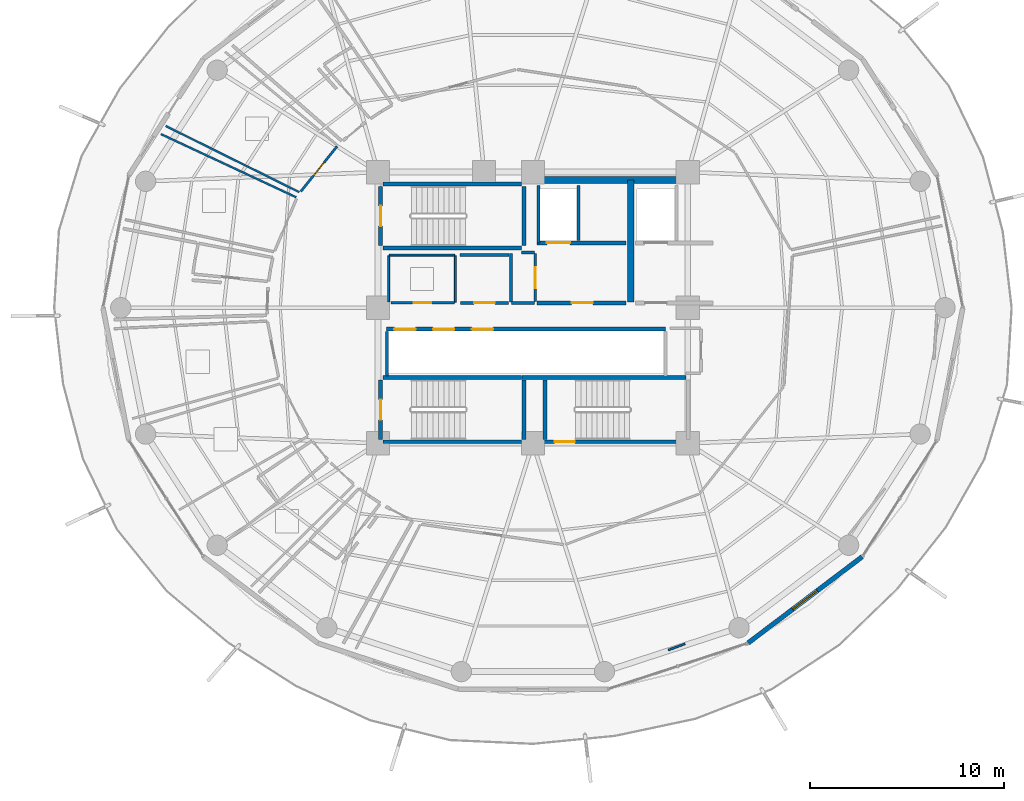
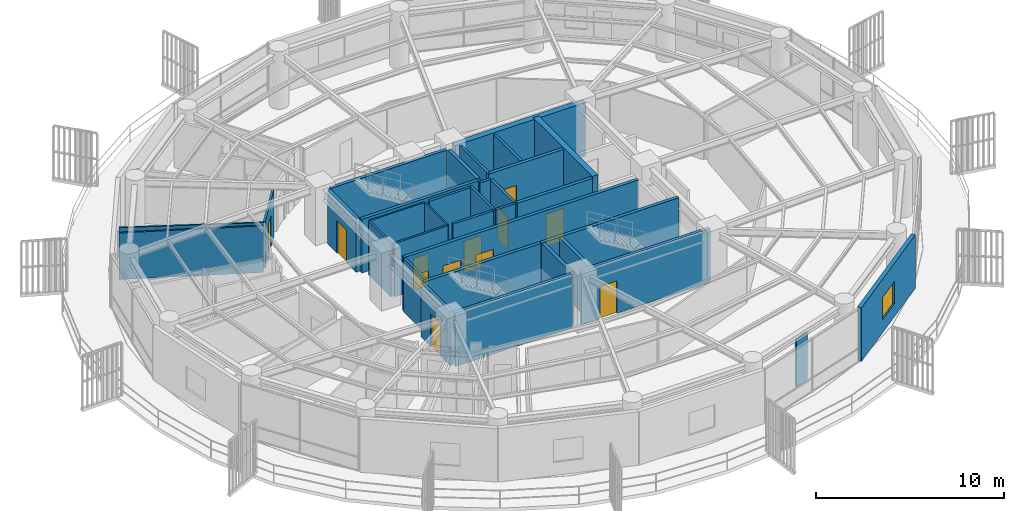
# One storey, part 25 of 31: 34 walls, 12 doors, 1 window, 13 openings.
"""IFC4 building model written with IfcOpenShell, lengths in metres."""

from ifc_helpers import new_model, si_unit, direction, frame, frame_2d, origin, place, context, subcontext, project, spatial, rectangle, extrude, material, layer, layer_set, type_object, element, fill, save


model = new_model("IFC4")

# Units and contexts
model_context = context("Model", 3, precision=1e-05, world=origin(), true_north=direction((0.0, 1.0)))
body_context = subcontext(model_context, "Body", "Model", "MODEL_VIEW")
ifc_project = project(units=[si_unit("LENGTHUNIT", "METRE"), si_unit("AREAUNIT", "SQUARE_METRE"), si_unit("VOLUMEUNIT", "CUBIC_METRE"), si_unit("PLANEANGLEUNIT", "RADIAN"), si_unit("MASSUNIT", "GRAM", prefix="KILO")], contexts=[model_context])

# Site, building, storey
site_placement = place(None, origin())
site = spatial("IfcSite", under=ifc_project, at=site_placement, CompositionType="ELEMENT")
building_placement = place(site_placement, origin())
building = spatial("IfcBuilding", under=site, at=building_placement, Name="Kelanora Arch Commons", CompositionType="ELEMENT")
storey_placement = place(building_placement, frame((0.0, 0.0, 200.699951171875)))
storey = spatial("IfcBuildingStorey", under=building, at=storey_placement, Name="L51", CompositionType="ELEMENT", Elevation=200.699951171875)

# Walls
ifc_material_1 = material(Name="Autoclaved aerated concrete blockwork with fire plaster", Category="masonry")
ifc_layer_1 = layer(ifc_material_1, 0.14990234375)
ifc_layer_set_1 = layer_set([ifc_layer_1], Name="Autoclaved aerated concrete blockwork with fire plaster")
wall_type_1 = type_object("IfcWallType", Name="W-COMP-150", PredefinedType="PARTITIONING", material=ifc_layer_set_1)
wall_1_placement = place(storey_placement, frame((74.280029296875, 61.35009765625, 0.0), z_axis=(0.0, 0.0, 1.0), x_axis=(0.0, 1.0, 0.0)))
element("IfcWall", 1, at=wall_1_placement, inside=storey, type_object=wall_type_1, Name="Firefighting Lift 1 West Shaft Wall L51", PredefinedType="PARTITIONING", context=body_context, shape_type="SweptSolid", body=[
    extrude(rectangle(XDim=2.969970703125, YDim=0.14990234375, at=frame_2d((1.48486328125, 0.0))), origin(), (0.0, 0.0, 1.0), 3.47998046875),
])
wall_2_placement = place(storey_placement, frame((76.360107421875, 61.47998046875, 0.0), z_axis=(0.0, 0.0, 1.0), x_axis=(0.0, 1.0, 0.0)))
element("IfcWall", 2, at=wall_2_placement, inside=storey, type_object=wall_type_1, Name="Firefighting Lift 1 East Shaft Wall L51", PredefinedType="PARTITIONING", context=body_context, shape_type="SweptSolid", body=[
    extrude(rectangle(XDim=2.840087890625, YDim=0.14990234375, at=frame_2d((1.419921875, 0.0))), origin(), (0.0, 0.0, 1.0), 3.47998046875),
])
wall_3_placement = place(storey_placement, frame((66.4599609375, 54.47998046875, 0.0), z_axis=(0.0, 0.0, 1.0), x_axis=(0.0, 1.0, 0.0)))
element("IfcWall", 3, at=wall_3_placement, inside=storey, type_object=wall_type_1, Name="South Lift Bank West Wall L51", PredefinedType="PARTITIONING", context=body_context, shape_type="SweptSolid", body=[
    extrude(rectangle(XDim=2.2900390625, YDim=0.14990234375, at=frame_2d((1.14501953125, 0.0))), origin(), (0.0, 0.0, 1.0), 3.47998046875),
])

# Wall, opening, door
wall_4_placement = place(storey_placement, frame((74.1201171875, 58.31005859375, 0.0), z_axis=(0.0, 0.0, 1.0), x_axis=(0.0, 1.0, 0.0)))
wall_4 = element("IfcWall", 4, at=wall_4_placement, inside=storey, type_object=wall_type_1, Name="Core Linen Supply Store L51 Entry Partition", PredefinedType="PARTITIONING", context=body_context, shape_type="SweptSolid", body=[
    extrude(rectangle(XDim=2.47998046875, YDim=0.14990234375, at=frame_2d((1.239990234375, 0.0))), origin(), (0.0, 0.0, 1.0), 3.47998046875),
])
opening_1_placement = place(wall_4_placement, frame((0.699951171875, 0.0, 0.0)))
opening_1 = element("IfcOpeningElement", 5, at=opening_1_placement, cuts=wall_4, Name="Opening D-PLT1", PredefinedType="OPENING", context=body_context, shape_type="SweptSolid", body=[
    extrude(rectangle(XDim=1.080078125, YDim=2.10009765625, at=frame_2d((0.5400390625, 1.050048828125))), frame((0.0, 0.0849609375, 0.0), z_axis=(0.0, -1.0, 0.0), x_axis=(1.0, 0.0, 0.0)), (0.0, 0.0, 1.0), 0.169921875),
])
ifc_material_2 = material(Name="Galvanised steel plant and riser fire door", Category="steel")
door_type_1 = type_object("IfcDoorType", Name="D-PLT-110", OperationType="NOTDEFINED", PredefinedType="DOOR", material=ifc_material_2)
door_1_placement = place(opening_1_placement, origin())
door_1 = element("IfcDoor", 6, at=door_1_placement, inside=storey, type_object=door_type_1, Name="Core Linen Supply Store L51 Door", OperationType="SINGLE_SWING_LEFT", OverallHeight=2.10009765625, OverallWidth=1.080078125, PredefinedType="DOOR", context=body_context, shape_type="SweptSolid", body=[
    extrude(rectangle(XDim=1.080078125, YDim=2.10009765625, at=frame_2d((0.5400390625, 1.050048828125))), frame((0.0, 0.02490234375, 0.0), z_axis=(0.0, -1.0, 0.0), x_axis=(1.0, 0.0, 0.0)), (0.0, 0.0, 1.0), 0.050048828125),
])
fill(opening_1, door_1)

wall_5_placement = place(storey_placement, frame((70.260009765625, 58.25, 0.0), z_axis=(0.0, 0.0, 1.0), x_axis=(1.0, 0.0, 0.0)))
wall_5 = element("IfcWall", 7, at=wall_5_placement, inside=storey, type_object=wall_type_1, Name="Reclaimed Core Linen Store L51 Entry Partition", PredefinedType="PARTITIONING", context=body_context, shape_type="SweptSolid", body=[
    extrude(rectangle(XDim=2.47998046875, YDim=0.14990234375, at=frame_2d((1.239990234375, 0.0))), origin(), (0.0, 0.0, 1.0), 3.47998046875),
])
opening_2_placement = place(wall_5_placement, frame((0.699951171875, 0.0, 0.0)))
opening_2 = element("IfcOpeningElement", 8, at=opening_2_placement, cuts=wall_5, Name="Opening D-PLT1", PredefinedType="OPENING", context=body_context, shape_type="SweptSolid", body=[
    extrude(rectangle(XDim=1.080078125, YDim=2.10009765625, at=frame_2d((0.5400390625, 1.050048828125))), frame((0.0, 0.0849609375, 0.0), z_axis=(0.0, -1.0, 0.0), x_axis=(1.0, 0.0, 0.0)), (0.0, 0.0, 1.0), 0.169921875),
])
door_2_placement = place(opening_2_placement, origin())
door_2 = element("IfcDoor", 9, at=door_2_placement, inside=storey, type_object=door_type_1, Name="Reclaimed Core Linen Store L51 Door", OperationType="SINGLE_SWING_RIGHT", OverallHeight=2.10009765625, OverallWidth=1.080078125, PredefinedType="DOOR", context=body_context, shape_type="SweptSolid", body=[
    extrude(rectangle(XDim=1.080078125, YDim=2.10009765625, at=frame_2d((0.5400390625, 1.050048828125))), frame((0.0, 0.02490234375, 0.0), z_axis=(0.0, -1.0, 0.0), x_axis=(1.0, 0.0, 0.0)), (0.0, 0.0, 1.0), 0.050048828125),
])
fill(opening_2, door_2)

# Walls
wall_6_placement = place(storey_placement, frame((72.89990234375, 58.25, 0.0), z_axis=(0.0, 0.0, 1.0), x_axis=(1.0, 0.0, 0.0)))
element("IfcWall", 10, at=wall_6_placement, inside=storey, type_object=wall_type_1, Name="Core Linen Supply Store L51 Enclosure Partition 1", PredefinedType="PARTITIONING", context=body_context, shape_type="SweptSolid", body=[
    extrude(rectangle(XDim=1.18017578125, YDim=0.14990234375, at=frame_2d((0.590087890625, 0.0))), origin(), (0.0, 0.0, 1.0), 3.47998046875),
])
wall_7_placement = place(storey_placement, frame((74.080078125, 60.85009765625, 0.0), z_axis=(0.0, 0.0, 1.0), x_axis=(-1.0, 0.0, 0.0)))
element("IfcWall", 11, at=wall_7_placement, inside=storey, type_object=wall_type_1, Name="Core Linen Supply Store L51 Enclosure Partition 3", PredefinedType="PARTITIONING", context=body_context, shape_type="SweptSolid", body=[
    extrude(rectangle(XDim=0.66015625, YDim=0.14990234375, at=frame_2d((0.330078125, 0.0))), origin(), (0.0, 0.0, 1.0), 3.47998046875),
])
for number, where, z_axis, x_axis, name in (
    (12, (72.860107421875, 60.81005859375, 0.0), (0.0, 0.0, 1.0), (0.0, -1.0, 0.0), "Core Linen Supply Store L51 Enclosure Partition 4"),
    (13, (72.760009765625, 60.719970703125, 0.0), (0.0, 0.0, 1.0), (-1.0, 0.0, 0.0), "Reclaimed Core Linen Store L51 Enclosure Partition 3"),
):
    element("IfcWall", number, at=place(storey_placement, frame(where, z_axis=z_axis, x_axis=x_axis)), inside=storey, type_object=wall_type_1, Name=name, PredefinedType="PARTITIONING", context=body_context, shape_type="SweptSolid", body=[
        extrude(rectangle(XDim=2.52001953125, YDim=0.14990234375, at=frame_2d((1.260009765625, 0.0))), origin(), (0.0, 0.0, 1.0), 3.47998046875),
    ])
ifc_material_3 = material(Name="Concrete C50/60", Category="concrete")
ifc_layer_2 = layer(ifc_material_3, 0.35009765625)
ifc_layer_set_2 = layer_set([ifc_layer_2], Name="Concrete C50/60")
wall_type_2 = type_object("IfcWallType", Name="W-CORE-350", PredefinedType="SHEAR", material=ifc_layer_set_2)
wall_8_placement = place(storey_placement, frame((74.0, 64.60009765625, 0.0), z_axis=(0.0, 0.0, 1.0), x_axis=(1.0, 0.0, 0.0)))
element("IfcWall", 14, at=wall_8_placement, inside=storey, type_object=wall_type_2, Name="Core Shear Spine L51-CN-E", PredefinedType="SHEAR", context=body_context, shape_type="SweptSolid", body=[
    extrude(rectangle(XDim=8.0, YDim=0.35009765625, at=frame_2d((4.0, 0.0))), origin(), (0.0, 0.0, 1.0), 3.489990234375),
])
wall_9_placement = place(storey_placement, frame((79.050048828125, 58.300048828125, 0.0), z_axis=(0.0, 0.0, 1.0), x_axis=(0.0, 1.0, 0.0)))
element("IfcWall", 15, at=wall_9_placement, inside=storey, type_object=wall_type_2, Name="Core Shear Spine L51-CE-N", PredefinedType="SHEAR", context=body_context, shape_type="SweptSolid", body=[
    extrude(rectangle(XDim=6.300048828125, YDim=0.35009765625, at=frame_2d((3.14990234375, 0.0))), origin(), (0.0, 0.0, 1.0), 3.489990234375),
])

# Wall, opening, window
ifc_material_4 = material(Name="Precast concrete C40/50 upper-zone terracotta rainscreen", Category="masonry")
ifc_layer_3 = layer(ifc_material_4, 0.239990234375)
ifc_layer_set_3 = layer_set([ifc_layer_3], Name="Precast concrete C40/50 upper-zone terracotta rainscreen")
wall_type_3 = type_object("IfcWallType", Name="W-EXT-TC2", PredefinedType="SOLIDWALL", material=ifc_layer_set_3)
wall_10_placement = place(storey_placement, frame((85.112060546875, 40.6884765625, 0.0), z_axis=(0.0, 0.0, 1.0), x_axis=(0.797701674595, 0.603052268338, 0.0)))
wall_10 = element("IfcWall", 16, at=wall_10_placement, inside=storey, type_object=wall_type_3, Name="Terracotta Exterior Wall L51-B15", PredefinedType="SOLIDWALL", context=body_context, shape_type="SweptSolid", body=[
    extrude(rectangle(XDim=7.373779296875, YDim=0.239990234375, at=frame_2d((3.68701171875, 0.0))), origin(), (0.0, 0.0, 1.0), 3.47509765625),
])
opening_3_placement = place(wall_10_placement, frame((2.886962890625, 0.0, 0.85009765625)))
opening_3 = element("IfcOpeningElement", 17, at=opening_3_placement, cuts=wall_10, Name="Opening WN-01", PredefinedType="OPENING", context=body_context, shape_type="SweptSolid", body=[
    extrude(rectangle(XDim=1.60009765625, YDim=1.449951171875, at=frame_2d((0.800048828125, 0.72509765625))), frame((0.0, 0.1298828125, 0.0), z_axis=(0.0, -1.0, 0.0), x_axis=(1.0, 0.0, 0.0)), (0.0, 0.0, 1.0), 0.260009765625),
])
ifc_material_5 = material(Name="Terracotta-anodised aluminium frame with operable low-E glazing", Category="masonry")
window_type = type_object("IfcWindowType", Name="WIN-CL-18", PartitioningType="DOUBLE_PANEL_VERTICAL", PredefinedType="WINDOW", material=ifc_material_5)
window_placement = place(opening_3_placement, origin())
window = element("IfcWindow", 18, at=window_placement, inside=storey, type_object=window_type, Name="Co-Living Operable Window L51-B15", OverallHeight=1.449951171875, OverallWidth=1.60009765625, PartitioningType="SINGLE_PANEL", PredefinedType="WINDOW", context=body_context, shape_type="SweptSolid", body=[
    extrude(rectangle(XDim=1.60009765625, YDim=1.449951171875, at=frame_2d((0.800048828125, 0.72509765625))), frame((0.0, 0.030029296875, 0.0), z_axis=(0.0, -1.0, 0.0), x_axis=(1.0, 0.0, 0.0)), (0.0, 0.0, 1.0), 0.06005859375),
])
fill(opening_3, window)

# Wall, opening, door
ifc_material_6 = material(Name="Concrete C40/50", Category="concrete")
ifc_layer_4 = layer(ifc_material_6, 0.199951171875)
ifc_layer_set_4 = layer_set([ifc_layer_4], Name="Concrete C40/50")
wall_type_4 = type_object("IfcWallType", Name="W-FFL-200", PredefinedType="SOLIDWALL", material=ifc_layer_set_4)
wall_11_placement = place(storey_placement, frame((74.199951171875, 61.35009765625, 0.0), z_axis=(0.0, 0.0, 1.0), x_axis=(1.0, 0.0, 0.0)))
wall_11 = element("IfcWall", 19, at=wall_11_placement, inside=storey, type_object=wall_type_4, Name="Firefighting Lift 1 Shaft Front L51", PredefinedType="SOLIDWALL", context=body_context, shape_type="SweptSolid", body=[
    extrude(rectangle(XDim=4.60009765625, YDim=0.199951171875, at=frame_2d((2.300048828125, 0.0))), origin(), (0.0, 0.0, 1.0), 3.47998046875),
])
opening_4_placement = place(wall_11_placement, frame((0.52001953125, 0.0, 0.0)))
opening_4 = element("IfcOpeningElement", 20, at=opening_4_placement, cuts=wall_11, Name="Opening LD-FF", PredefinedType="OPENING", context=body_context, shape_type="SweptSolid", body=[
    extrude(rectangle(XDim=1.199951171875, YDim=2.14990234375, at=frame_2d((0.60009765625, 1.074951171875))), frame((0.0, 0.10986328125, 0.0), z_axis=(0.0, -1.0, 0.0), x_axis=(1.0, 0.0, 0.0)), (0.0, 0.0, 1.0), 0.219970703125),
])
ifc_material_7 = material(Name="Fire-rated firefighters lift sliding landing door")
door_type_2 = type_object("IfcDoorType", Name="D-LIFT-FF", OperationType="NOTDEFINED", PredefinedType="DOOR", material=ifc_material_7)
door_3_placement = place(opening_4_placement, origin())
door_3 = element("IfcDoor", 21, at=door_3_placement, inside=storey, type_object=door_type_2, Name="Firefighting Lift LF-FF1 Landing Door L51", OperationType="DOUBLE_DOOR_SLIDING", OverallHeight=2.14990234375, OverallWidth=1.199951171875, PredefinedType="DOOR", context=body_context, shape_type="SweptSolid", body=[
    extrude(rectangle(XDim=1.199951171875, YDim=2.14990234375, at=frame_2d((0.60009765625, 1.074951171875))), frame((0.0, 0.02490234375, 0.0), z_axis=(0.0, -1.0, 0.0), x_axis=(1.0, 0.0, 0.0)), (0.0, 0.0, 1.0), 0.050048828125),
])
fill(opening_4, door_3)

wall_12_placement = place(storey_placement, frame((74.199951171875, 58.25, 0.0), z_axis=(0.0, 0.0, 1.0), x_axis=(1.0, 0.0, 0.0)))
wall_12 = element("IfcWall", 22, at=wall_12_placement, inside=storey, type_object=wall_type_4, Name="Firefighting Lobby 1 Enclosure Wall L51", PredefinedType="SOLIDWALL", context=body_context, shape_type="SweptSolid", body=[
    extrude(rectangle(XDim=4.60009765625, YDim=0.199951171875, at=frame_2d((2.300048828125, 0.0))), origin(), (0.0, 0.0, 1.0), 3.47998046875),
])
opening_5_placement = place(wall_12_placement, frame((1.800048828125, 0.0, 0.0)))
opening_5 = element("IfcOpeningElement", 23, at=opening_5_placement, cuts=wall_12, Name="Opening D-FFL1", PredefinedType="OPENING", context=body_context, shape_type="SweptSolid", body=[
    extrude(rectangle(XDim=1.10009765625, YDim=2.10009765625, at=frame_2d((0.550048828125, 1.050048828125))), frame((0.0, 0.10986328125, 0.0), z_axis=(0.0, -1.0, 0.0), x_axis=(1.0, 0.0, 0.0)), (0.0, 0.0, 1.0), 0.219970703125),
])
ifc_material_8 = material(Name="Smoke-sealed firefighting lobby fire door")
door_type_3 = type_object("IfcDoorType", Name="D-FFL-110", OperationType="NOTDEFINED", PredefinedType="DOOR", material=ifc_material_8)
door_4_placement = place(opening_5_placement, frame((1.10009765625, 0.0, 0.0), z_axis=(0.0, 0.0, 1.0), x_axis=(-1.0, 0.0, 0.0)))
door_4 = element("IfcDoor", 24, at=door_4_placement, inside=storey, type_object=door_type_3, Name="Firefighting Lobby 1 Door L51", OperationType="SINGLE_SWING_LEFT", OverallHeight=2.10009765625, OverallWidth=1.10009765625, PredefinedType="DOOR", context=body_context, shape_type="SweptSolid", body=[
    extrude(rectangle(XDim=1.10009765625, YDim=2.10009765625, at=frame_2d((0.550048828125, 1.050048828125))), frame((0.0, 0.02490234375, 0.0), z_axis=(0.0, -1.0, 0.0), x_axis=(1.0, 0.0, 0.0)), (0.0, 0.0, 1.0), 0.050048828125),
])
fill(opening_5, door_4)

# Wall, openings, doors
wall_13_placement = place(storey_placement, frame((66.449951171875, 56.89990234375, 0.0), z_axis=(0.0, 0.0, 1.0), x_axis=(1.0, 0.0, 0.0)))
wall_13 = element("IfcWall", 25, at=wall_13_placement, inside=storey, type_object=wall_type_4, Name="Mid/High/Express Lift Shaft Front L51", PredefinedType="SOLIDWALL", context=body_context, shape_type="SweptSolid", body=[
    extrude(rectangle(XDim=14.400146484375, YDim=0.199951171875, at=frame_2d((7.2001953125, 0.0))), origin(), (0.0, 0.0, 1.0), 3.47998046875),
])
opening_6_placement = place(wall_13_placement, frame((0.39990234375, 0.0, 0.0)))
opening_6 = element("IfcOpeningElement", 26, at=opening_6_placement, cuts=wall_13, Name="Opening LD-01", PredefinedType="OPENING", context=body_context, shape_type="SweptSolid", body=[
    extrude(rectangle(XDim=1.10009765625, YDim=2.10009765625, at=frame_2d((0.550048828125, 1.050048828125))), frame((0.0, 0.10986328125, 0.0), z_axis=(0.0, -1.0, 0.0), x_axis=(1.0, 0.0, 0.0)), (0.0, 0.0, 1.0), 0.219970703125),
])
opening_7_placement = place(wall_13_placement, frame((2.39990234375, 0.0, 0.0)))
opening_7 = element("IfcOpeningElement", 27, at=opening_7_placement, cuts=wall_13, Name="Opening LD-01", PredefinedType="OPENING", context=body_context, shape_type="SweptSolid", body=[
    extrude(rectangle(XDim=1.10009765625, YDim=2.10009765625, at=frame_2d((0.550048828125, 1.050048828125))), frame((0.0, 0.10986328125, 0.0), z_axis=(0.0, -1.0, 0.0), x_axis=(1.0, 0.0, 0.0)), (0.0, 0.0, 1.0), 0.219970703125),
])
opening_8_placement = place(wall_13_placement, frame((4.39990234375, 0.0, 0.0)))
opening_8 = element("IfcOpeningElement", 28, at=opening_8_placement, cuts=wall_13, Name="Opening LD-01", PredefinedType="OPENING", context=body_context, shape_type="SweptSolid", body=[
    extrude(rectangle(XDim=1.10009765625, YDim=2.10009765625, at=frame_2d((0.550048828125, 1.050048828125))), frame((0.0, 0.10986328125, 0.0), z_axis=(0.0, -1.0, 0.0), x_axis=(1.0, 0.0, 0.0)), (0.0, 0.0, 1.0), 0.219970703125),
])
ifc_material_9 = material(Name="Stainless steel passenger lift sliding landing door", Category="steel")
door_type_4 = type_object("IfcDoorType", Name="D-LIFT-110", OperationType="NOTDEFINED", PredefinedType="DOOR", material=ifc_material_9)
door_5_placement = place(opening_6_placement, origin())
door_5 = element("IfcDoor", 29, at=door_5_placement, inside=storey, type_object=door_type_4, Name="Passenger Lift LF-P4 Landing Door L51", OperationType="DOUBLE_DOOR_SLIDING", OverallHeight=2.10009765625, OverallWidth=1.10009765625, PredefinedType="DOOR", context=body_context, shape_type="SweptSolid", body=[
    extrude(rectangle(XDim=1.10009765625, YDim=2.10009765625, at=frame_2d((0.550048828125, 1.050048828125))), frame((0.0, 0.02490234375, 0.0), z_axis=(0.0, -1.0, 0.0), x_axis=(1.0, 0.0, 0.0)), (0.0, 0.0, 1.0), 0.050048828125),
])
fill(opening_6, door_5)
door_6_placement = place(opening_7_placement, origin())
door_6 = element("IfcDoor", 30, at=door_6_placement, inside=storey, type_object=door_type_4, Name="Passenger Lift LF-P5 Landing Door L51", OperationType="DOUBLE_DOOR_SLIDING", OverallHeight=2.10009765625, OverallWidth=1.10009765625, PredefinedType="DOOR", context=body_context, shape_type="SweptSolid", body=[
    extrude(rectangle(XDim=1.10009765625, YDim=2.10009765625, at=frame_2d((0.550048828125, 1.050048828125))), frame((0.0, 0.02490234375, 0.0), z_axis=(0.0, -1.0, 0.0), x_axis=(1.0, 0.0, 0.0)), (0.0, 0.0, 1.0), 0.050048828125),
])
fill(opening_7, door_6)
door_7_placement = place(opening_8_placement, origin())
door_7 = element("IfcDoor", 31, at=door_7_placement, inside=storey, type_object=door_type_4, Name="Passenger Lift LF-P6 Landing Door L51", OperationType="DOUBLE_DOOR_SLIDING", OverallHeight=2.10009765625, OverallWidth=1.10009765625, PredefinedType="DOOR", context=body_context, shape_type="SweptSolid", body=[
    extrude(rectangle(XDim=1.10009765625, YDim=2.10009765625, at=frame_2d((0.550048828125, 1.050048828125))), frame((0.0, 0.02490234375, 0.0), z_axis=(0.0, -1.0, 0.0), x_axis=(1.0, 0.0, 0.0)), (0.0, 0.0, 1.0), 0.050048828125),
])
fill(opening_8, door_7)

# Walls
ifc_material_10 = material(Name="Lightweight fire-rated acoustic stud partition")
ifc_layer_5 = layer(ifc_material_10, 0.10009765625)
ifc_layer_set_5 = layer_set([ifc_layer_5], Name="Lightweight fire-rated acoustic stud partition")
wall_type_5 = type_object("IfcWallType", Name="W-PART-100", PredefinedType="PARTITIONING", material=ifc_layer_set_5)
wall_14_placement = place(storey_placement, frame((70.0, 58.2900390625, 0.0), z_axis=(0.0, 0.0, 1.0), x_axis=(0.0, 1.0, 0.0)))
element("IfcWall", 32, at=wall_14_placement, inside=storey, type_object=wall_type_5, Name="Reclaimed Core Quiet Phone Booths L51 Enclosure Partition 2", PredefinedType="PARTITIONING", context=body_context, shape_type="SweptSolid", body=[
    extrude(rectangle(XDim=2.389892578125, YDim=0.10009765625, at=frame_2d((1.19482421875, 0.0))), origin(), (0.0, 0.0, 1.0), 3.47998046875),
])
wall_15_placement = place(storey_placement, frame((69.9599609375, 60.719970703125, 0.0), z_axis=(0.0, 0.0, 1.0), x_axis=(-1.0, 0.0, 0.0)))
element("IfcWall", 33, at=wall_15_placement, inside=storey, type_object=wall_type_5, Name="Reclaimed Core Quiet Phone Booths L51 Enclosure Partition 3", PredefinedType="PARTITIONING", context=body_context, shape_type="SweptSolid", body=[
    extrude(rectangle(XDim=3.369873046875, YDim=0.10009765625, at=frame_2d((1.68505859375, 0.0))), origin(), (0.0, 0.0, 1.0), 3.47998046875),
])
wall_16_placement = place(storey_placement, frame((66.550048828125, 60.679931640625, 0.0), z_axis=(0.0, 0.0, 1.0), x_axis=(0.0, -1.0, 0.0)))
element("IfcWall", 34, at=wall_16_placement, inside=storey, type_object=wall_type_5, Name="Reclaimed Core Quiet Phone Booths L51 Enclosure Partition 4", PredefinedType="PARTITIONING", context=body_context, shape_type="SweptSolid", body=[
    extrude(rectangle(XDim=2.383056640625, YDim=0.10009765625, at=frame_2d((1.19140625, 0.0))), origin(), (0.0, 0.0, 1.0), 3.47998046875),
])
wall_17_placement = place(storey_placement, frame((81.8486328125, 40.646240234375, 0.0), z_axis=(0.0, 0.0, 1.0), x_axis=(-0.935240492297, -0.354013024574, 0.0)))
element("IfcWall", 35, at=wall_17_placement, inside=storey, type_object=wall_type_5, Name="South-East Social Sky Lounge L51 Enclosure Partition 8", PredefinedType="PARTITIONING", context=body_context, shape_type="SweptSolid", body=[
    extrude(rectangle(XDim=0.906982421875, YDim=0.10009765625, at=frame_2d((0.45361328125, 0.0))), origin(), (0.0, 0.0, 1.0), 3.074951171875),
])
wall_18_placement = place(storey_placement, frame((61.938232421875, 63.966796875, 0.0), z_axis=(0.0, 0.0, 1.0), x_axis=(-0.896052906747, 0.443947281003, 0.0)))
element("IfcWall", 36, at=wall_18_placement, inside=storey, type_object=wall_type_5, Name="Social Sky Lounge L51-02 Enclosure Partition 2", PredefinedType="PARTITIONING", context=body_context, shape_type="SweptSolid", body=[
    extrude(rectangle(XDim=7.690673828125, YDim=0.10009765625, at=frame_2d((3.84521484375, 0.0))), origin(), (0.0, 0.0, 1.0), 3.025146484375),
])
wall_19_placement = place(storey_placement, frame((54.797119140625, 66.963134765625, 0.0), z_axis=(0.0, 0.0, 1.0), x_axis=(0.906002589331, -0.423272144283, 0.0)))
element("IfcWall", 37, at=wall_19_placement, inside=storey, type_object=wall_type_5, Name="Quiet Seminar Study Room L51-03 Enclosure Partition 4", PredefinedType="PARTITIONING", context=body_context, shape_type="SweptSolid", body=[
    extrude(rectangle(XDim=7.70703125, YDim=0.10009765625, at=frame_2d((3.853515625, 0.0))), origin(), (0.0, 0.0, 1.0), 3.025146484375),
])

# Wall, opening, door
ifc_material_11 = material(Name="Acoustic twin-stud fire-rated gypsum partition")
ifc_layer_6 = layer(ifc_material_11, 0.1201171875)
ifc_layer_set_6 = layer_set([ifc_layer_6], Name="Acoustic twin-stud fire-rated gypsum partition")
wall_type_6 = type_object("IfcWallType", Name="W-PART-120", PredefinedType="PARTITIONING", material=ifc_layer_set_6)
wall_20_placement = place(storey_placement, frame((66.67529296875, 58.25, 0.0), z_axis=(0.0, 0.0, 1.0), x_axis=(1.0, 0.0, 0.0)))
wall_20 = element("IfcWall", 38, at=wall_20_placement, inside=storey, type_object=wall_type_6, Name="Reclaimed Core Quiet Phone Booths L51 Entry Partition", PredefinedType="PARTITIONING", context=body_context, shape_type="SweptSolid", body=[
    extrude(rectangle(XDim=3.2646484375, YDim=0.1201171875, at=frame_2d((1.63232421875, 0.0))), origin(), (0.0, 0.0, 1.0), 3.47998046875),
])
opening_9_placement = place(wall_20_placement, frame((1.181884765625, 0.0, 0.0)))
opening_9 = element("IfcOpeningElement", 39, at=opening_9_placement, cuts=wall_20, Name="Opening D-RM1", PredefinedType="OPENING", context=body_context, shape_type="SweptSolid", body=[
    extrude(rectangle(XDim=0.89990234375, YDim=2.080078125, at=frame_2d((0.449951171875, 1.0400390625))), frame((0.0, 0.070068359375, 0.0), z_axis=(0.0, -1.0, 0.0), x_axis=(1.0, 0.0, 0.0)), (0.0, 0.0, 1.0), 0.14013671875),
])
ifc_material_12 = material(Name="Acoustic fire-rated timber study and lounge door", Category="wood")
door_type_5 = type_object("IfcDoorType", Name="D-ROOM-90", OperationType="NOTDEFINED", PredefinedType="DOOR", material=ifc_material_12)
door_8_placement = place(opening_9_placement, origin())
door_8 = element("IfcDoor", 40, at=door_8_placement, inside=storey, type_object=door_type_5, Name="Reclaimed Core Quiet Phone Booths L51 Door", OperationType="SINGLE_SWING_LEFT", OverallHeight=2.080078125, OverallWidth=0.89990234375, PredefinedType="DOOR", context=body_context, shape_type="SweptSolid", body=[
    extrude(rectangle(XDim=0.89990234375, YDim=2.080078125, at=frame_2d((0.449951171875, 1.0400390625))), frame((0.0, 0.02490234375, 0.0), z_axis=(0.0, -1.0, 0.0), x_axis=(1.0, 0.0, 0.0)), (0.0, 0.0, 1.0), 0.050048828125),
])
fill(opening_9, door_8)

wall_21_placement = place(storey_placement, frame((63.884521484375, 66.3271484375, 0.0), z_axis=(0.0, 0.0, 1.0), x_axis=(-0.626276824741, -0.779600756023, 0.0)))
wall_21 = element("IfcWall", 41, at=wall_21_placement, inside=storey, type_object=wall_type_6, Name="Social Sky Lounge L51-02 Entry Partition", PredefinedType="PARTITIONING", context=body_context, shape_type="SweptSolid", body=[
    extrude(rectangle(XDim=2.990478515625, YDim=0.1201171875, at=frame_2d((1.4951171875, 0.0))), origin(), (0.0, 0.0, 1.0), 3.025146484375),
])
opening_10_placement = place(wall_21_placement, frame((1.044921875, 0.0, 0.0)))
opening_10 = element("IfcOpeningElement", 42, at=opening_10_placement, cuts=wall_21, Name="Opening D-RM1", PredefinedType="OPENING", context=body_context, shape_type="SweptSolid", body=[
    extrude(rectangle(XDim=0.89990234375, YDim=2.080078125, at=frame_2d((0.449951171875, 1.0400390625))), frame((0.0, 0.070068359375, 0.0), z_axis=(0.0, -1.0, 0.0), x_axis=(1.0, 0.0, 0.0)), (0.0, 0.0, 1.0), 0.14013671875),
])
door_9_placement = place(opening_10_placement, origin())
door_9 = element("IfcDoor", 43, at=door_9_placement, inside=storey, type_object=door_type_5, Name="Social Sky Lounge L51-02 Door", OperationType="SINGLE_SWING_LEFT", OverallHeight=2.080078125, OverallWidth=0.89990234375, PredefinedType="DOOR", context=body_context, shape_type="SweptSolid", body=[
    extrude(rectangle(XDim=0.89990234375, YDim=2.080078125, at=frame_2d((0.449951171875, 1.0400390625))), frame((0.0, 0.02490234375, 0.0), z_axis=(0.0, -1.0, 0.0), x_axis=(1.0, 0.0, 0.0)), (0.0, 0.0, 1.0), 0.050048828125),
])
fill(opening_10, door_9)

# Walls
ifc_layer_7 = layer(ifc_material_6, 0.199951171875)
ifc_layer_set_7 = layer_set([ifc_layer_7], Name="Concrete C40/50")
wall_type_7 = type_object("IfcWallType", Name="W-STAIR-200", PredefinedType="SHEAR", material=ifc_layer_set_7)
wall_22_placement = place(storey_placement, frame((66.260009765625, 61.080078125, 0.0), z_axis=(0.0, 0.0, 1.0), x_axis=(1.0, 0.0, 0.0)))
element("IfcWall", 44, at=wall_22_placement, inside=storey, type_object=wall_type_7, Name="Stair ST-T1 Shaft Wall S L51", PredefinedType="SHEAR", context=body_context, shape_type="SweptSolid", body=[
    extrude(rectangle(XDim=7.159912109375, YDim=0.199951171875, at=frame_2d((3.580078125, 0.0))), origin(), (0.0, 0.0, 1.0), 3.489990234375),
])
wall_23_placement = place(storey_placement, frame((73.5400390625, 61.199951171875, 0.0), z_axis=(0.0, 0.0, 1.0), x_axis=(0.0, 1.0, 0.0)))
element("IfcWall", 45, at=wall_23_placement, inside=storey, type_object=wall_type_7, Name="Stair ST-T1 Shaft Wall E L51", PredefinedType="SHEAR", context=body_context, shape_type="SweptSolid", body=[
    extrude(rectangle(XDim=3.070068359375, YDim=0.199951171875, at=frame_2d((1.53515625, 0.0))), origin(), (0.0, 0.0, 1.0), 3.489990234375),
])
wall_24_placement = place(storey_placement, frame((73.419921875, 64.389892578125, 0.0), z_axis=(0.0, 0.0, 1.0), x_axis=(-1.0, 0.0, 0.0)))
element("IfcWall", 46, at=wall_24_placement, inside=storey, type_object=wall_type_7, Name="Stair ST-T1 Shaft Wall N L51", PredefinedType="SHEAR", context=body_context, shape_type="SweptSolid", body=[
    extrude(rectangle(XDim=7.159912109375, YDim=0.199951171875, at=frame_2d((3.580078125, 0.0))), origin(), (0.0, 0.0, 1.0), 3.489990234375),
])

# Wall, opening, door
wall_25_placement = place(storey_placement, frame((66.139892578125, 64.27001953125, 0.0), z_axis=(0.0, 0.0, 1.0), x_axis=(0.0, -1.0, 0.0)))
wall_25 = element("IfcWall", 47, at=wall_25_placement, inside=storey, type_object=wall_type_7, Name="Stair ST-T1 Shaft Wall W L51", PredefinedType="SHEAR", context=body_context, shape_type="SweptSolid", body=[
    extrude(rectangle(XDim=3.070068359375, YDim=0.199951171875, at=frame_2d((1.53515625, 0.0))), origin(), (0.0, 0.0, 1.0), 3.489990234375),
])
opening_11_placement = place(wall_25_placement, frame((1.010009765625, 0.0, 0.0)))
opening_11 = element("IfcOpeningElement", 48, at=opening_11_placement, cuts=wall_25, Name="Opening D-ST1", PredefinedType="OPENING", context=body_context, shape_type="SweptSolid", body=[
    extrude(rectangle(XDim=1.050048828125, YDim=2.10009765625, at=frame_2d((0.52490234375, 1.050048828125))), frame((0.0, 0.10986328125, 0.0), z_axis=(0.0, -1.0, 0.0), x_axis=(1.0, 0.0, 0.0)), (0.0, 0.0, 1.0), 0.219970703125),
])
ifc_material_13 = material(Name="Steel fire-rated stairwell escape door", Category="steel")
door_type_6 = type_object("IfcDoorType", Name="D-STAIR-110", OperationType="NOTDEFINED", PredefinedType="DOOR", material=ifc_material_13)
door_10_placement = place(opening_11_placement, origin())
door_10 = element("IfcDoor", 49, at=door_10_placement, inside=storey, type_object=door_type_6, Name="Stair ST-T1 Escape Door L51", OperationType="SINGLE_SWING_LEFT", OverallHeight=2.10009765625, OverallWidth=1.050048828125, PredefinedType="DOOR", context=body_context, shape_type="SweptSolid", body=[
    extrude(rectangle(XDim=1.050048828125, YDim=2.10009765625, at=frame_2d((0.52490234375, 1.050048828125))), frame((0.0, 0.02490234375, 0.0), z_axis=(0.0, -1.0, 0.0), x_axis=(1.0, 0.0, 0.0)), (0.0, 0.0, 1.0), 0.050048828125),
])
fill(opening_11, door_10)

wall_26_placement = place(storey_placement, frame((74.0, 51.080078125, 0.0), z_axis=(0.0, 0.0, 1.0), x_axis=(1.0, 0.0, 0.0)))
wall_26 = element("IfcWall", 50, at=wall_26_placement, inside=storey, type_object=wall_type_7, Name="Stair ST-T2 Shaft Wall S L51", PredefinedType="SHEAR", context=body_context, shape_type="SweptSolid", body=[
    extrude(rectangle(XDim=7.89990234375, YDim=0.199951171875, at=frame_2d((3.949951171875, 0.0))), origin(), (0.0, 0.0, 1.0), 3.489990234375),
])
opening_12_placement = place(wall_26_placement, frame((1.1201171875, 0.0, 0.0)))
opening_12 = element("IfcOpeningElement", 51, at=opening_12_placement, cuts=wall_26, Name="Opening D-ST1", PredefinedType="OPENING", context=body_context, shape_type="SweptSolid", body=[
    extrude(rectangle(XDim=1.050048828125, YDim=2.10009765625, at=frame_2d((0.52490234375, 1.050048828125))), frame((0.0, 0.10986328125, 0.0), z_axis=(0.0, -1.0, 0.0), x_axis=(1.0, 0.0, 0.0)), (0.0, 0.0, 1.0), 0.219970703125),
])
door_11_placement = place(opening_12_placement, origin())
door_11 = element("IfcDoor", 52, at=door_11_placement, inside=storey, type_object=door_type_6, Name="Stair ST-T2 Escape Door L51", OperationType="SINGLE_SWING_LEFT", OverallHeight=2.10009765625, OverallWidth=1.050048828125, PredefinedType="DOOR", context=body_context, shape_type="SweptSolid", body=[
    extrude(rectangle(XDim=1.050048828125, YDim=2.10009765625, at=frame_2d((0.52490234375, 1.050048828125))), frame((0.0, 0.02490234375, 0.0), z_axis=(0.0, -1.0, 0.0), x_axis=(1.0, 0.0, 0.0)), (0.0, 0.0, 1.0), 0.050048828125),
])
fill(opening_12, door_11)

# Walls
wall_27_placement = place(storey_placement, frame((81.89990234375, 54.389892578125, 0.0), z_axis=(0.0, 0.0, 1.0), x_axis=(-1.0, 0.0, 0.0)))
element("IfcWall", 53, at=wall_27_placement, inside=storey, type_object=wall_type_7, Name="Stair ST-T2 Shaft Wall N L51", PredefinedType="SHEAR", context=body_context, shape_type="SweptSolid", body=[
    extrude(rectangle(XDim=8.4599609375, YDim=0.199951171875, at=frame_2d((4.22998046875, 0.0))), origin(), (0.0, 0.0, 1.0), 3.489990234375),
])
wall_28_placement = place(storey_placement, frame((74.6201171875, 54.27001953125, 0.0), z_axis=(0.0, 0.0, 1.0), x_axis=(0.0, -1.0, 0.0)))
element("IfcWall", 54, at=wall_28_placement, inside=storey, type_object=wall_type_7, Name="Stair ST-T2 Shaft Wall W L51", PredefinedType="SHEAR", context=body_context, shape_type="SweptSolid", body=[
    extrude(rectangle(XDim=3.070068359375, YDim=0.199951171875, at=frame_2d((1.53515625, 0.0))), origin(), (0.0, 0.0, 1.0), 3.489990234375),
])
wall_29_placement = place(storey_placement, frame((66.260009765625, 51.080078125, 0.0), z_axis=(0.0, 0.0, 1.0), x_axis=(1.0, 0.0, 0.0)))
element("IfcWall", 55, at=wall_29_placement, inside=storey, type_object=wall_type_7, Name="Stair ST-T3 Shaft Wall S L51", PredefinedType="SHEAR", context=body_context, shape_type="SweptSolid", body=[
    extrude(rectangle(XDim=7.159912109375, YDim=0.199951171875, at=frame_2d((3.580078125, 0.0))), origin(), (0.0, 0.0, 1.0), 3.489990234375),
])
wall_30_placement = place(storey_placement, frame((73.5400390625, 51.199951171875, 0.0), z_axis=(0.0, 0.0, 1.0), x_axis=(0.0, 1.0, 0.0)))
element("IfcWall", 56, at=wall_30_placement, inside=storey, type_object=wall_type_7, Name="Stair ST-T3 Shaft Wall E L51", PredefinedType="SHEAR", context=body_context, shape_type="SweptSolid", body=[
    extrude(rectangle(XDim=3.070068359375, YDim=0.199951171875, at=frame_2d((1.53515625, 0.0))), origin(), (0.0, 0.0, 1.0), 3.489990234375),
])
wall_31_placement = place(storey_placement, frame((73.419921875, 54.389892578125, 0.0), z_axis=(0.0, 0.0, 1.0), x_axis=(-1.0, 0.0, 0.0)))
element("IfcWall", 57, at=wall_31_placement, inside=storey, type_object=wall_type_7, Name="Stair ST-T3 Shaft Wall N L51", PredefinedType="SHEAR", context=body_context, shape_type="SweptSolid", body=[
    extrude(rectangle(XDim=7.159912109375, YDim=0.199951171875, at=frame_2d((3.580078125, 0.0))), origin(), (0.0, 0.0, 1.0), 3.489990234375),
])

# Wall, opening, door
wall_32_placement = place(storey_placement, frame((66.139892578125, 54.27001953125, 0.0), z_axis=(0.0, 0.0, 1.0), x_axis=(0.0, -1.0, 0.0)))
wall_32 = element("IfcWall", 58, at=wall_32_placement, inside=storey, type_object=wall_type_7, Name="Stair ST-T3 Shaft Wall W L51", PredefinedType="SHEAR", context=body_context, shape_type="SweptSolid", body=[
    extrude(rectangle(XDim=3.070068359375, YDim=0.199951171875, at=frame_2d((1.53515625, 0.0))), origin(), (0.0, 0.0, 1.0), 3.489990234375),
])
opening_13_placement = place(wall_32_placement, frame((1.010009765625, 0.0, 0.0)))
opening_13 = element("IfcOpeningElement", 59, at=opening_13_placement, cuts=wall_32, Name="Opening D-ST1", PredefinedType="OPENING", context=body_context, shape_type="SweptSolid", body=[
    extrude(rectangle(XDim=1.050048828125, YDim=2.10009765625, at=frame_2d((0.52490234375, 1.050048828125))), frame((0.0, 0.10986328125, 0.0), z_axis=(0.0, -1.0, 0.0), x_axis=(1.0, 0.0, 0.0)), (0.0, 0.0, 1.0), 0.219970703125),
])
door_12_placement = place(opening_13_placement, origin())
door_12 = element("IfcDoor", 60, at=door_12_placement, inside=storey, type_object=door_type_6, Name="Stair ST-T3 Escape Door L51", OperationType="SINGLE_SWING_LEFT", OverallHeight=2.10009765625, OverallWidth=1.050048828125, PredefinedType="DOOR", context=body_context, shape_type="SweptSolid", body=[
    extrude(rectangle(XDim=1.050048828125, YDim=2.10009765625, at=frame_2d((0.52490234375, 1.050048828125))), frame((0.0, 0.02490234375, 0.0), z_axis=(0.0, -1.0, 0.0), x_axis=(1.0, 0.0, 0.0)), (0.0, 0.0, 1.0), 0.050048828125),
])
fill(opening_13, door_12)

save(model, "model.ifc")
